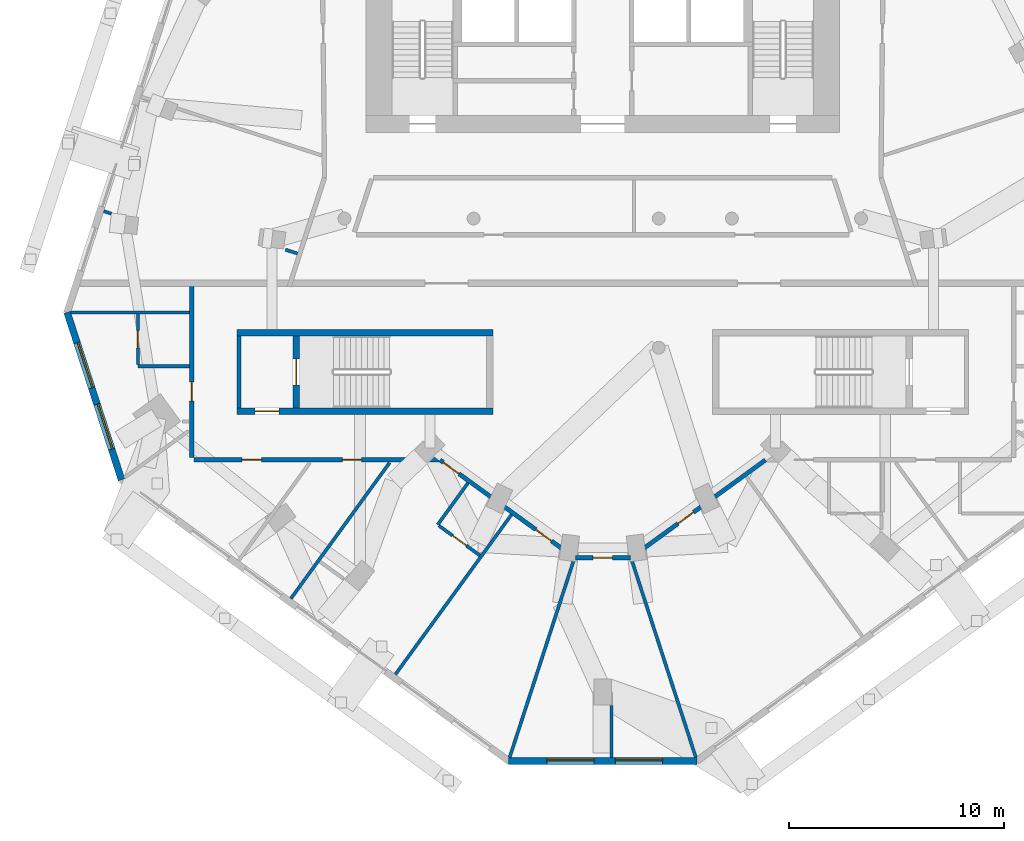
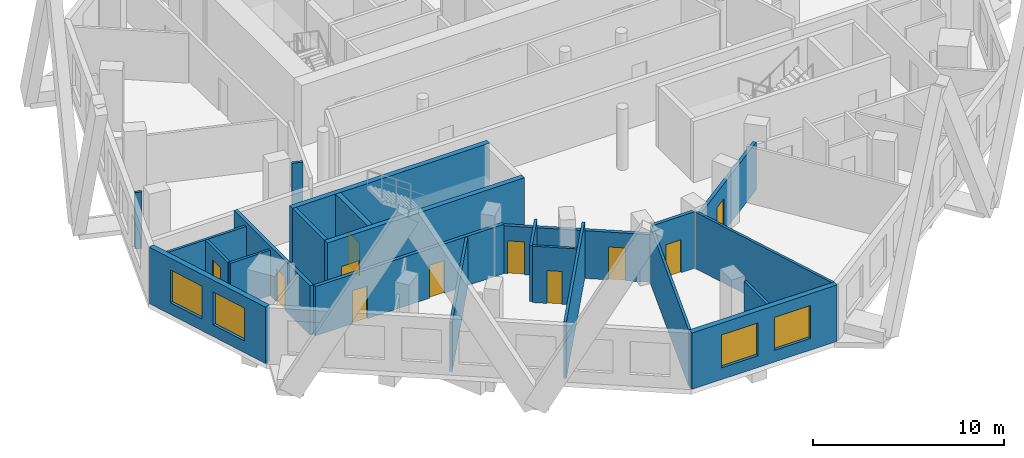
# One storey, part 4 of 10: 23 walls, 11 doors, 4 windows, 15 openings.
"""IFC4 building model written with IfcOpenShell, lengths in metres."""

from ifc_helpers import new_model, si_unit, direction, frame, frame_2d, origin, place, context, subcontext, project, spatial, rectangle, extrude, material, layer, layer_set, type_object, element, fill, save


model = new_model("IFC4")

# Units and contexts
model_context = context("Model", 3, precision=1e-05, world=origin(), true_north=direction((0.0, 1.0)))
body_context = subcontext(model_context, "Body", "Model", "MODEL_VIEW")
ifc_project = project(units=[si_unit("LENGTHUNIT", "METRE"), si_unit("AREAUNIT", "SQUARE_METRE"), si_unit("VOLUMEUNIT", "CUBIC_METRE"), si_unit("PLANEANGLEUNIT", "RADIAN"), si_unit("MASSUNIT", "GRAM", prefix="KILO")], contexts=[model_context])

# Site, building, storey
site_placement = place(None, origin())
site = spatial("IfcSite", under=ifc_project, at=site_placement, CompositionType="ELEMENT")
building_placement = place(site_placement, origin())
building = spatial("IfcBuilding", under=site, at=building_placement, Name="White Candle Pilgrim Tower", CompositionType="ELEMENT")
storey_placement = place(building_placement, frame((0.0, 0.0, 196.5)))
storey = spatial("IfcBuildingStorey", under=building, at=storey_placement, Name="L45", CompositionType="ELEMENT", Elevation=196.5)

# Wall
ifc_material_1 = material(Name="Concrete C50/60", Category="concrete")
ifc_layer_1 = layer(ifc_material_1, 0.199951171875)
ifc_layer_set_1 = layer_set([ifc_layer_1], Name="Core wall 200 mm Concrete C50/60")
wall_type_1 = type_object("IfcWallType", Name="Core wall 200 mm Concrete C50/60", PredefinedType="SHEAR", material=ifc_layer_set_1)
wall_1_placement = place(storey_placement, frame((53.10009765625, 58.199951171875, 0.0), z_axis=(0.0, 0.0, 1.0), x_axis=(0.0, 1.0, 0.0)))
element("IfcWall", 1, at=wall_1_placement, inside=storey, type_object=wall_type_1, Name="WL-L45-C03", PredefinedType="SHEAR", context=body_context, shape_type="SweptSolid", body=[
    extrude(rectangle(XDim=3.35009765625, YDim=0.199951171875, at=frame_2d((1.675048828125, 0.0))), origin(), (0.0, 0.0, 1.0), 3.89990234375),
])

# Wall, opening, door
ifc_material_2 = material(Name="Gypsum board on steel studs", Category="steel")
ifc_layer_2 = layer(ifc_material_2, 0.199951171875)
ifc_layer_set_2 = layer_set([ifc_layer_2], Name="Corridor wall 200 mm EI 45")
wall_type_2 = type_object("IfcWallType", Name="Corridor wall 200 mm EI 45", PredefinedType="PARTITIONING", material=ifc_layer_set_2)
wall_2_placement = place(storey_placement, frame((77.55908203125, 55.781005859375, 0.0), z_axis=(0.0, 0.0, 1.0), x_axis=(-0.80901190539, -0.587792256616, 0.0)))
wall_2 = element("IfcWall", 2, at=wall_2_placement, inside=storey, type_object=wall_type_2, Name="WL-L45-P008", PredefinedType="PARTITIONING", context=body_context, shape_type="SweptSolid", body=[
    extrude(rectangle(XDim=7.691162109375, YDim=0.199951171875, at=frame_2d((3.845703125, 0.0))), origin(), (0.0, 0.0, 1.0), 3.050048828125),
])
opening_1_placement = place(wall_2_placement, frame((4.125, 0.0, 0.0)))
opening_1 = element("IfcOpeningElement", 3, at=opening_1_placement, cuts=wall_2, Name="Opening T14-109", PredefinedType="OPENING", context=body_context, shape_type="SweptSolid", body=[
    extrude(rectangle(XDim=0.89990234375, YDim=2.10009765625, at=frame_2d((0.449951171875, 1.050048828125))), frame((0.0, 0.10986328125, 0.0), z_axis=(0.0, -1.0, 0.0), x_axis=(1.0, 0.0, 0.0)), (0.0, 0.0, 1.0), 0.219970703125),
])
ifc_material_3 = material(Name="Steel door leaf", Category="steel")
door_type_1 = type_object("IfcDoorType", Name="Fire door 900 x 2100 EI 30", OperationType="NOTDEFINED", PredefinedType="DOOR", material=ifc_material_3)
door_1_placement = place(opening_1_placement, origin())
door_1 = element("IfcDoor", 4, at=door_1_placement, inside=storey, type_object=door_type_1, Name="Door T14-109", OperationType="SINGLE_SWING_LEFT", OverallHeight=2.10009765625, OverallWidth=0.89990234375, PredefinedType="DOOR", context=body_context, shape_type="SweptSolid", body=[
    extrude(rectangle(XDim=0.89990234375, YDim=2.10009765625, at=frame_2d((0.449951171875, 1.050048828125))), frame((0.0, 0.02490234375, 0.0), z_axis=(0.0, -1.0, 0.0), x_axis=(1.0, 0.0, 0.0)), (0.0, 0.0, 1.0), 0.050048828125),
])
fill(opening_1, door_1)

wall_3_placement = place(storey_placement, frame((71.278076171875, 51.2412109375, 0.0), z_axis=(0.0, 0.0, 1.0), x_axis=(-1.0, 0.0, 0.0)))
wall_3 = element("IfcWall", 5, at=wall_3_placement, inside=storey, type_object=wall_type_2, Name="WL-L45-P009", PredefinedType="PARTITIONING", context=body_context, shape_type="SweptSolid", body=[
    extrude(rectangle(XDim=2.55615234375, YDim=0.199951171875, at=frame_2d((1.278076171875, 0.0))), origin(), (0.0, 0.0, 1.0), 3.60009765625),
])
opening_2_placement = place(wall_3_placement, frame((0.827880859375, 0.0, 0.0)))
opening_2 = element("IfcOpeningElement", 6, at=opening_2_placement, cuts=wall_3, Name="Opening T14-108", PredefinedType="OPENING", context=body_context, shape_type="SweptSolid", body=[
    extrude(rectangle(XDim=0.89990234375, YDim=2.10009765625, at=frame_2d((0.449951171875, 1.050048828125))), frame((0.0, 0.10986328125, 0.0), z_axis=(0.0, -1.0, 0.0), x_axis=(1.0, 0.0, 0.0)), (0.0, 0.0, 1.0), 0.219970703125),
])
door_2_placement = place(opening_2_placement, origin())
door_2 = element("IfcDoor", 7, at=door_2_placement, inside=storey, type_object=door_type_1, Name="Door T14-108", OperationType="SINGLE_SWING_RIGHT", OverallHeight=2.10009765625, OverallWidth=0.89990234375, PredefinedType="DOOR", context=body_context, shape_type="SweptSolid", body=[
    extrude(rectangle(XDim=0.89990234375, YDim=2.10009765625, at=frame_2d((0.449951171875, 1.050048828125))), frame((0.0, 0.02490234375, 0.0), z_axis=(0.0, -1.0, 0.0), x_axis=(1.0, 0.0, 0.0)), (0.0, 0.0, 1.0), 0.050048828125),
])
fill(opening_2, door_2)

# Wall, openings, doors
wall_4_placement = place(storey_placement, frame((68.6630859375, 51.26025390625, 0.0), z_axis=(0.0, 0.0, 1.0), x_axis=(-0.80901190539, 0.587792256616, 0.0)))
wall_4 = element("IfcWall", 8, at=wall_4_placement, inside=storey, type_object=wall_type_2, Name="WL-L45-P010", PredefinedType="PARTITIONING", context=body_context, shape_type="SweptSolid", body=[
    extrude(rectangle(XDim=7.691162109375, YDim=0.199951171875, at=frame_2d((3.845703125, 0.0))), origin(), (0.0, 0.0, 1.0), 3.050048828125),
])
opening_3_placement = place(wall_4_placement, frame((6.603759765625, 0.0, 0.0)))
opening_3 = element("IfcOpeningElement", 9, at=opening_3_placement, cuts=wall_4, Name="Opening T14-106", PredefinedType="OPENING", context=body_context, shape_type="SweptSolid", body=[
    extrude(rectangle(XDim=0.89990234375, YDim=2.10009765625, at=frame_2d((0.449951171875, 1.050048828125))), frame((0.0, 0.10986328125, 0.0), z_axis=(0.0, -1.0, 0.0), x_axis=(1.0, 0.0, 0.0)), (0.0, 0.0, 1.0), 0.219970703125),
])
opening_4_placement = place(wall_4_placement, frame((1.291015625, 0.0, 0.0)))
opening_4 = element("IfcOpeningElement", 10, at=opening_4_placement, cuts=wall_4, Name="Opening T14-107", PredefinedType="OPENING", context=body_context, shape_type="SweptSolid", body=[
    extrude(rectangle(XDim=0.89990234375, YDim=2.10009765625, at=frame_2d((0.449951171875, 1.050048828125))), frame((0.0, 0.10986328125, 0.0), z_axis=(0.0, -1.0, 0.0), x_axis=(1.0, 0.0, 0.0)), (0.0, 0.0, 1.0), 0.219970703125),
])
door_3_placement = place(opening_3_placement, origin())
door_3 = element("IfcDoor", 11, at=door_3_placement, inside=storey, type_object=door_type_1, Name="Door T14-106", OperationType="SINGLE_SWING_RIGHT", OverallHeight=2.10009765625, OverallWidth=0.89990234375, PredefinedType="DOOR", context=body_context, shape_type="SweptSolid", body=[
    extrude(rectangle(XDim=0.89990234375, YDim=2.10009765625, at=frame_2d((0.449951171875, 1.050048828125))), frame((0.0, 0.02490234375, 0.0), z_axis=(0.0, -1.0, 0.0), x_axis=(1.0, 0.0, 0.0)), (0.0, 0.0, 1.0), 0.050048828125),
])
fill(opening_3, door_3)
door_4_placement = place(opening_4_placement, origin())
door_4 = element("IfcDoor", 12, at=door_4_placement, inside=storey, type_object=door_type_1, Name="Door T14-107", OperationType="SINGLE_SWING_LEFT", OverallHeight=2.10009765625, OverallWidth=0.89990234375, PredefinedType="DOOR", context=body_context, shape_type="SweptSolid", body=[
    extrude(rectangle(XDim=0.89990234375, YDim=2.10009765625, at=frame_2d((0.449951171875, 1.050048828125))), frame((0.0, 0.02490234375, 0.0), z_axis=(0.0, -1.0, 0.0), x_axis=(1.0, 0.0, 0.0)), (0.0, 0.0, 1.0), 0.050048828125),
])
fill(opening_4, door_4)

wall_5_placement = place(storey_placement, frame((62.382080078125, 55.800048828125, 0.0), z_axis=(0.0, 0.0, 1.0), x_axis=(-1.0, 0.0, 0.0)))
wall_5 = element("IfcWall", 13, at=wall_5_placement, inside=storey, type_object=wall_type_2, Name="WL-L45-P011", PredefinedType="PARTITIONING", context=body_context, shape_type="SweptSolid", body=[
    extrude(rectangle(XDim=11.382080078125, YDim=0.199951171875, at=frame_2d((5.69091796875, 0.0))), origin(), (0.0, 0.0, 1.0), 3.14990234375),
])
opening_5_placement = place(wall_5_placement, frame((8.23583984375, 0.0, 0.0)))
opening_5 = element("IfcOpeningElement", 14, at=opening_5_placement, cuts=wall_5, Name="Opening T14-103", PredefinedType="OPENING", context=body_context, shape_type="SweptSolid", body=[
    extrude(rectangle(XDim=0.89990234375, YDim=2.10009765625, at=frame_2d((0.449951171875, 1.050048828125))), frame((0.0, 0.10986328125, 0.0), z_axis=(0.0, -1.0, 0.0), x_axis=(1.0, 0.0, 0.0)), (0.0, 0.0, 1.0), 0.219970703125),
])
opening_6_placement = place(wall_5_placement, frame((3.585205078125, 0.0, 0.0)))
opening_6 = element("IfcOpeningElement", 15, at=opening_6_placement, cuts=wall_5, Name="Opening T14-104", PredefinedType="OPENING", context=body_context, shape_type="SweptSolid", body=[
    extrude(rectangle(XDim=0.89990234375, YDim=2.10009765625, at=frame_2d((0.449951171875, 1.050048828125))), frame((0.0, 0.10986328125, 0.0), z_axis=(0.0, -1.0, 0.0), x_axis=(1.0, 0.0, 0.0)), (0.0, 0.0, 1.0), 0.219970703125),
])
door_5_placement = place(opening_5_placement, origin())
door_5 = element("IfcDoor", 16, at=door_5_placement, inside=storey, type_object=door_type_1, Name="Door T14-103", OperationType="SINGLE_SWING_LEFT", OverallHeight=2.10009765625, OverallWidth=0.89990234375, PredefinedType="DOOR", context=body_context, shape_type="SweptSolid", body=[
    extrude(rectangle(XDim=0.89990234375, YDim=2.10009765625, at=frame_2d((0.449951171875, 1.050048828125))), frame((0.0, 0.02490234375, 0.0), z_axis=(0.0, -1.0, 0.0), x_axis=(1.0, 0.0, 0.0)), (0.0, 0.0, 1.0), 0.050048828125),
])
fill(opening_5, door_5)
door_6_placement = place(opening_6_placement, origin())
door_6 = element("IfcDoor", 17, at=door_6_placement, inside=storey, type_object=door_type_1, Name="Door T14-104", OperationType="SINGLE_SWING_RIGHT", OverallHeight=2.10009765625, OverallWidth=0.89990234375, PredefinedType="DOOR", context=body_context, shape_type="SweptSolid", body=[
    extrude(rectangle(XDim=0.89990234375, YDim=2.10009765625, at=frame_2d((0.449951171875, 1.050048828125))), frame((0.0, 0.02490234375, 0.0), z_axis=(0.0, -1.0, 0.0), x_axis=(1.0, 0.0, 0.0)), (0.0, 0.0, 1.0), 0.050048828125),
])
fill(opening_6, door_6)

# Wall, opening, door
wall_6_placement = place(storey_placement, frame((50.89990234375, 55.89990234375, 0.0), z_axis=(0.0, 0.0, 1.0), x_axis=(0.0, 1.0, 0.0)))
wall_6 = element("IfcWall", 18, at=wall_6_placement, inside=storey, type_object=wall_type_2, Name="WL-L45-P012", PredefinedType="PARTITIONING", context=body_context, shape_type="SweptSolid", body=[
    extrude(rectangle(XDim=7.9501953125, YDim=0.199951171875, at=frame_2d((3.97509765625, 0.0))), origin(), (0.0, 0.0, 1.0), 3.14990234375),
])
opening_7_placement = place(wall_6_placement, frame((2.61376953125, 0.0, 0.0)))
opening_7 = element("IfcOpeningElement", 19, at=opening_7_placement, cuts=wall_6, Name="Opening T14-102", PredefinedType="OPENING", context=body_context, shape_type="SweptSolid", body=[
    extrude(rectangle(XDim=0.89990234375, YDim=2.10009765625, at=frame_2d((0.449951171875, 1.050048828125))), frame((0.0, 0.10986328125, 0.0), z_axis=(0.0, -1.0, 0.0), x_axis=(1.0, 0.0, 0.0)), (0.0, 0.0, 1.0), 0.219970703125),
])
door_7_placement = place(opening_7_placement, origin())
door_7 = element("IfcDoor", 20, at=door_7_placement, inside=storey, type_object=door_type_1, Name="Door T14-102", OperationType="SINGLE_SWING_RIGHT", OverallHeight=2.10009765625, OverallWidth=0.89990234375, PredefinedType="DOOR", context=body_context, shape_type="SweptSolid", body=[
    extrude(rectangle(XDim=0.89990234375, YDim=2.10009765625, at=frame_2d((0.449951171875, 1.050048828125))), frame((0.0, 0.02490234375, 0.0), z_axis=(0.0, -1.0, 0.0), x_axis=(1.0, 0.0, 0.0)), (0.0, 0.0, 1.0), 0.050048828125),
])
fill(opening_7, door_7)

# Wall, openings, windows
ifc_material_4 = material(Name="Precast concrete C40/50", Category="concrete")
ifc_layer_3 = layer(ifc_material_4, 0.320068359375)
ifc_layer_set_3 = layer_set([ifc_layer_3], Name="Facade wall EW1 precast concrete C40/50 pier wall with timber-lined reveals")
wall_type_3 = type_object("IfcWallType", Name="Facade wall EW1 precast concrete C40/50 pier wall with timber-lined reveals", PredefinedType="SOLIDWALL", material=ifc_layer_set_3)
wall_7_placement = place(storey_placement, frame((45.11279296875, 62.6416015625, 0.0), z_axis=(0.0, 0.0, 1.0), x_axis=(0.309006387978, -0.951059962457, 0.0)))
wall_7 = element("IfcWall", 21, at=wall_7_placement, inside=storey, type_object=wall_type_3, Name="Facade wall L45 W chamfer", PredefinedType="SOLIDWALL", context=body_context, shape_type="SweptSolid", body=[
    extrude(rectangle(XDim=8.175048828125, YDim=0.320068359375, at=frame_2d((4.08740234375, 0.0))), origin(), (0.0, 0.0, 1.0), 3.60009765625),
])
opening_8_placement = place(wall_7_placement, frame((1.487548828125, 0.0, 0.75)))
opening_8 = element("IfcOpeningElement", 22, at=opening_8_placement, cuts=wall_7, Name="Opening W4", PredefinedType="OPENING", context=body_context, shape_type="SweptSolid", body=[
    extrude(rectangle(XDim=2.199951171875, YDim=2.10009765625, at=frame_2d((1.10009765625, 1.050048828125))), frame((0.0, 0.169921875, 0.0), z_axis=(0.0, -1.0, 0.0), x_axis=(1.0, 0.0, 0.0)), (0.0, 0.0, 1.0), 0.340087890625),
])
opening_9_placement = place(wall_7_placement, frame((4.487548828125, 0.0, 0.75)))
opening_9 = element("IfcOpeningElement", 23, at=opening_9_placement, cuts=wall_7, Name="Opening W4", PredefinedType="OPENING", context=body_context, shape_type="SweptSolid", body=[
    extrude(rectangle(XDim=2.199951171875, YDim=2.10009765625, at=frame_2d((1.10009765625, 1.050048828125))), frame((0.0, 0.169921875, 0.0), z_axis=(0.0, -1.0, 0.0), x_axis=(1.0, 0.0, 0.0)), (0.0, 0.0, 1.0), 0.340087890625),
])
ifc_material_5 = material(Name="Timber frame with triple glazing", Category="wood")
window_type = type_object("IfcWindowType", Name="Window W4 2200x2100 timber frame triple glazing", PartitioningType="SINGLE_PANEL", PredefinedType="WINDOW", material=ifc_material_5)
window_1_placement = place(opening_8_placement, origin())
window_1 = element("IfcWindow", 24, at=window_1_placement, inside=storey, type_object=window_type, Name="Window W4 L45 W chamfer 1", OverallHeight=2.10009765625, OverallWidth=2.199951171875, PartitioningType="SINGLE_PANEL", PredefinedType="WINDOW", context=body_context, shape_type="SweptSolid", body=[
    extrude(rectangle(XDim=2.199951171875, YDim=2.10009765625, at=frame_2d((1.10009765625, 1.050048828125))), frame((0.0, 0.070068359375, 0.0), z_axis=(0.0, -1.0, 0.0), x_axis=(1.0, 0.0, 0.0)), (0.0, 0.0, 1.0), 0.06005859375),
])
fill(opening_8, window_1)
window_2_placement = place(opening_9_placement, origin())
window_2 = element("IfcWindow", 25, at=window_2_placement, inside=storey, type_object=window_type, Name="Window W4 L45 W chamfer 2", OverallHeight=2.10009765625, OverallWidth=2.199951171875, PartitioningType="SINGLE_PANEL", PredefinedType="WINDOW", context=body_context, shape_type="SweptSolid", body=[
    extrude(rectangle(XDim=2.199951171875, YDim=2.10009765625, at=frame_2d((1.10009765625, 1.050048828125))), frame((0.0, 0.070068359375, 0.0), z_axis=(0.0, -1.0, 0.0), x_axis=(1.0, 0.0, 0.0)), (0.0, 0.0, 1.0), 0.06005859375),
])
fill(opening_9, window_2)

wall_8_placement = place(storey_placement, frame((65.622314453125, 41.801025390625, 0.0), z_axis=(0.0, 0.0, 1.0), x_axis=(1.0, 0.0, 0.0)))
wall_8 = element("IfcWall", 26, at=wall_8_placement, inside=storey, type_object=wall_type_3, Name="Facade wall L45 S chamfer", PredefinedType="SOLIDWALL", context=body_context, shape_type="SweptSolid", body=[
    extrude(rectangle(XDim=8.75537109375, YDim=0.320068359375, at=frame_2d((4.377685546875, 0.0))), origin(), (0.0, 0.0, 1.0), 3.60009765625),
])
opening_10_placement = place(wall_8_placement, frame((1.77783203125, 0.0, 0.75)))
opening_10 = element("IfcOpeningElement", 27, at=opening_10_placement, cuts=wall_8, Name="Opening W4", PredefinedType="OPENING", context=body_context, shape_type="SweptSolid", body=[
    extrude(rectangle(XDim=2.199951171875, YDim=2.10009765625, at=frame_2d((1.10009765625, 1.050048828125))), frame((0.0, 0.169921875, 0.0), z_axis=(0.0, -1.0, 0.0), x_axis=(1.0, 0.0, 0.0)), (0.0, 0.0, 1.0), 0.340087890625),
])
opening_11_placement = place(wall_8_placement, frame((4.962890625, 0.0, 0.75)))
opening_11 = element("IfcOpeningElement", 28, at=opening_11_placement, cuts=wall_8, Name="Opening W4", PredefinedType="OPENING", context=body_context, shape_type="SweptSolid", body=[
    extrude(rectangle(XDim=2.199951171875, YDim=2.10009765625, at=frame_2d((1.10009765625, 1.050048828125))), frame((0.0, 0.169921875, 0.0), z_axis=(0.0, -1.0, 0.0), x_axis=(1.0, 0.0, 0.0)), (0.0, 0.0, 1.0), 0.340087890625),
])
window_3_placement = place(opening_10_placement, origin())
window_3 = element("IfcWindow", 29, at=window_3_placement, inside=storey, type_object=window_type, Name="Window W4 L45 S chamfer 1", OverallHeight=2.10009765625, OverallWidth=2.199951171875, PartitioningType="SINGLE_PANEL", PredefinedType="WINDOW", context=body_context, shape_type="SweptSolid", body=[
    extrude(rectangle(XDim=2.199951171875, YDim=2.10009765625, at=frame_2d((1.10009765625, 1.050048828125))), frame((0.0, 0.070068359375, 0.0), z_axis=(0.0, -1.0, 0.0), x_axis=(1.0, 0.0, 0.0)), (0.0, 0.0, 1.0), 0.06005859375),
])
fill(opening_10, window_3)
window_4_placement = place(opening_11_placement, origin())
window_4 = element("IfcWindow", 30, at=window_4_placement, inside=storey, type_object=window_type, Name="Window W4 L45 S chamfer 2", OverallHeight=2.10009765625, OverallWidth=2.199951171875, PartitioningType="SINGLE_PANEL", PredefinedType="WINDOW", context=body_context, shape_type="SweptSolid", body=[
    extrude(rectangle(XDim=2.199951171875, YDim=2.10009765625, at=frame_2d((1.10009765625, 1.050048828125))), frame((0.0, 0.070068359375, 0.0), z_axis=(0.0, -1.0, 0.0), x_axis=(1.0, 0.0, 0.0)), (0.0, 0.0, 1.0), 0.06005859375),
])
fill(opening_11, window_4)

# Walls
ifc_layer_4 = layer(ifc_material_2, 0.14990234375)
ifc_layer_set_4 = layer_set([ifc_layer_4], Name="Partition 150 mm EI 60")
wall_type_4 = type_object("IfcWallType", Name="Partition 150 mm EI 60", PredefinedType="PARTITIONING", material=ifc_layer_set_4)
wall_9_placement = place(storey_placement, frame((45.281005859375, 62.6416015625, 0.0), z_axis=(0.0, 0.0, 1.0), x_axis=(1.0, 0.0, 0.0)))
element("IfcWall", 31, at=wall_9_placement, inside=storey, type_object=wall_type_4, Name="WL-L45-P018", PredefinedType="PARTITIONING", context=body_context, shape_type="SweptSolid", body=[
    extrude(rectangle(XDim=5.51904296875, YDim=0.14990234375, at=frame_2d((2.759521484375, 0.0))), origin(), (0.0, 0.0, 1.0), 2.89990234375),
])
for number, where, z_axis, x_axis, name in (
    (32, (65.67431640625, 41.961181640625, 0.0), (0.0, 0.0, 1.0), (0.309002171774, 0.951061332322, 0.0), "WL-L45-P020"),
    (33, (74.32568359375, 41.961181640625, 0.0), (0.0, 0.0, 1.0), (-0.309002171774, 0.951061332322, 0.0), "WL-L45-P021"),
):
    element("IfcWall", number, at=place(storey_placement, frame(where, z_axis=z_axis, x_axis=x_axis)), inside=storey, type_object=wall_type_4, Name=name, PredefinedType="PARTITIONING", context=body_context, shape_type="SweptSolid", body=[
        extrude(rectangle(XDim=9.67236328125, YDim=0.14990234375, at=frame_2d((4.836181640625, 0.0))), origin(), (0.0, 0.0, 1.0), 3.60009765625),
    ])
wall_10_placement = place(storey_placement, frame((50.800048828125, 60.1416015625, 0.0), z_axis=(0.0, 0.0, 1.0), x_axis=(-1.0, 0.0, 0.0)))
element("IfcWall", 34, at=wall_10_placement, inside=storey, type_object=wall_type_4, Name="WL-L45-P026", PredefinedType="PARTITIONING", context=body_context, shape_type="SweptSolid", body=[
    extrude(rectangle(XDim=2.400146484375, YDim=0.14990234375, at=frame_2d((1.2001953125, 0.0))), origin(), (0.0, 0.0, 1.0), 2.89990234375),
])

# Wall, opening, door
wall_11_placement = place(storey_placement, frame((48.39990234375, 62.566650390625, 0.0), z_axis=(0.0, 0.0, 1.0), x_axis=(0.0, -1.0, 0.0)))
wall_11 = element("IfcWall", 35, at=wall_11_placement, inside=storey, type_object=wall_type_4, Name="WL-L45-P027", PredefinedType="PARTITIONING", context=body_context, shape_type="SweptSolid", body=[
    extrude(rectangle(XDim=2.35009765625, YDim=0.14990234375, at=frame_2d((1.175048828125, 0.0))), origin(), (0.0, 0.0, 1.0), 2.89990234375),
])
opening_12_placement = place(wall_11_placement, frame((0.77490234375, 0.0, 0.0)))
opening_12 = element("IfcOpeningElement", 36, at=opening_12_placement, cuts=wall_11, Name="Opening T14-101", PredefinedType="OPENING", context=body_context, shape_type="SweptSolid", body=[
    extrude(rectangle(XDim=0.800048828125, YDim=2.10009765625, at=frame_2d((0.39990234375, 1.050048828125))), frame((0.0, 0.0849609375, 0.0), z_axis=(0.0, -1.0, 0.0), x_axis=(1.0, 0.0, 0.0)), (0.0, 0.0, 1.0), 0.169921875),
])
door_type_2 = type_object("IfcDoorType", Name="Fire door 800 x 2100 EI 30", OperationType="NOTDEFINED", PredefinedType="DOOR", material=ifc_material_3)
door_8_placement = place(opening_12_placement, frame((0.800048828125, 0.0, 0.0), z_axis=(0.0, 0.0, 1.0), x_axis=(-1.0, 0.0, 0.0)))
door_8 = element("IfcDoor", 37, at=door_8_placement, inside=storey, type_object=door_type_2, Name="Door T14-101", OperationType="SINGLE_SWING_RIGHT", OverallHeight=2.10009765625, OverallWidth=0.800048828125, PredefinedType="DOOR", context=body_context, shape_type="SweptSolid", body=[
    extrude(rectangle(XDim=0.800048828125, YDim=2.10009765625, at=frame_2d((0.39990234375, 1.050048828125))), frame((0.0, 0.02490234375, 0.0), z_axis=(0.0, -1.0, 0.0), x_axis=(1.0, 0.0, 0.0)), (0.0, 0.0, 1.0), 0.050048828125),
])
fill(opening_12, door_8)

# Walls
wall_12_placement = place(storey_placement, frame((55.510986328125, 49.344970703125, 0.0), z_axis=(0.0, 0.0, 1.0), x_axis=(0.587782705134, 0.809018844988, 0.0)))
element("IfcWall", 38, at=wall_12_placement, inside=storey, type_object=wall_type_4, Name="WL-L45-P029", PredefinedType="PARTITIONING", context=body_context, shape_type="SweptSolid", body=[
    extrude(rectangle(XDim=7.80078125, YDim=0.14990234375, at=frame_2d((3.900390625, 0.0))), origin(), (0.0, 0.0, 1.0), 3.14990234375),
])
wall_13_placement = place(storey_placement, frame((60.365234375, 45.818359375, 0.0), z_axis=(0.0, 0.0, 1.0), x_axis=(0.587777877013, 0.809022352778, 0.0)))
element("IfcWall", 39, at=wall_13_placement, inside=storey, type_object=wall_type_4, Name="WL-L45-P030", PredefinedType="PARTITIONING", context=body_context, shape_type="SweptSolid", body=[
    extrude(rectangle(XDim=9.179931640625, YDim=0.14990234375, at=frame_2d((4.58984375, 0.0))), origin(), (0.0, 0.0, 1.0), 3.60009765625),
])
wall_14_placement = place(storey_placement, frame((63.738525390625, 54.714599609375, 0.0), z_axis=(0.0, 0.0, 1.0), x_axis=(-0.587772420479, -0.809026317077, 0.0)))
element("IfcWall", 40, at=wall_14_placement, inside=storey, type_object=wall_type_4, Name="WL-L45-P031", PredefinedType="PARTITIONING", context=body_context, shape_type="SweptSolid", body=[
    extrude(rectangle(XDim=2.39990234375, YDim=0.14990234375, at=frame_2d((1.199951171875, 0.0))), origin(), (0.0, 0.0, 1.0), 3.60009765625),
])

# Wall, opening, door
wall_15_placement = place(storey_placement, frame((64.289794921875, 51.347412109375, 0.0), z_axis=(0.0, 0.0, 1.0), x_axis=(-0.808996573949, 0.587813357571, 0.0)))
wall_15 = element("IfcWall", 41, at=wall_15_placement, inside=storey, type_object=wall_type_4, Name="WL-L45-P032", PredefinedType="PARTITIONING", context=body_context, shape_type="SweptSolid", body=[
    extrude(rectangle(XDim=2.35009765625, YDim=0.14990234375, at=frame_2d((1.175048828125, 0.0))), origin(), (0.0, 0.0, 1.0), 3.60009765625),
])
opening_13_placement = place(wall_15_placement, frame((0.77490234375, 0.0, 0.0)))
opening_13 = element("IfcOpeningElement", 42, at=opening_13_placement, cuts=wall_15, Name="Opening T14-105", PredefinedType="OPENING", context=body_context, shape_type="SweptSolid", body=[
    extrude(rectangle(XDim=0.800048828125, YDim=2.10009765625, at=frame_2d((0.39990234375, 1.050048828125))), frame((0.0, 0.0849609375, 0.0), z_axis=(0.0, -1.0, 0.0), x_axis=(1.0, 0.0, 0.0)), (0.0, 0.0, 1.0), 0.169921875),
])
door_9_placement = place(opening_13_placement, origin())
door_9 = element("IfcDoor", 43, at=door_9_placement, inside=storey, type_object=door_type_2, Name="Door T14-105", OperationType="SINGLE_SWING_LEFT", OverallHeight=2.10009765625, OverallWidth=0.800048828125, PredefinedType="DOOR", context=body_context, shape_type="SweptSolid", body=[
    extrude(rectangle(XDim=0.800048828125, YDim=2.10009765625, at=frame_2d((0.39990234375, 1.050048828125))), frame((0.0, 0.02490234375, 0.0), z_axis=(0.0, -1.0, 0.0), x_axis=(1.0, 0.0, 0.0)), (0.0, 0.0, 1.0), 0.050048828125),
])
fill(opening_13, door_9)

# Walls
wall_16_placement = place(storey_placement, frame((70.409912109375, 44.3701171875, 0.0), z_axis=(0.0, 0.0, 1.0), x_axis=(0.0, -1.0, 0.0)))
element("IfcWall", 44, at=wall_16_placement, inside=storey, type_object=wall_type_4, Name="WL-L45-P046", PredefinedType="PARTITIONING", context=body_context, shape_type="SweptSolid", body=[
    extrude(rectangle(XDim=2.408935546875, YDim=0.14990234375, at=frame_2d((1.20458984375, 0.0))), origin(), (0.0, 0.0, 1.0), 3.60009765625),
])
wall_17_placement = place(storey_placement, frame((47.167724609375, 67.228271484375, 0.0), z_axis=(0.0, 0.0, 1.0), x_axis=(-0.95111492259, 0.308837180446, 0.0)))
element("IfcWall", 45, at=wall_17_placement, inside=storey, type_object=wall_type_4, Name="WL-L45-P052", PredefinedType="PARTITIONING", context=body_context, shape_type="SweptSolid", body=[
    extrude(rectangle(XDim=0.377197265625, YDim=0.14990234375, at=frame_2d((0.1884765625, 0.0))), origin(), (0.0, 0.0, 1.0), 3.60009765625),
])
wall_18_placement = place(storey_placement, frame((55.2568359375, 65.55517578125, 0.0), z_axis=(0.0, 0.0, 1.0), x_axis=(0.9510855144, -0.308927733131, 0.0)))
element("IfcWall", 46, at=wall_18_placement, inside=storey, type_object=wall_type_4, Name="WL-L45-P054", PredefinedType="PARTITIONING", context=body_context, shape_type="SweptSolid", body=[
    extrude(rectangle(XDim=0.5927734375, YDim=0.14990234375, at=frame_2d((0.29638671875, 0.0))), origin(), (0.0, 0.0, 1.0), 3.60009765625),
])

# Wall, opening, door
ifc_layer_5 = layer(ifc_material_1, 0.300048828125)
ifc_layer_set_5 = layer_set([ifc_layer_5], Name="Stair shaft wall 300 mm Concrete C50/60")
wall_type_5 = type_object("IfcWallType", Name="Stair shaft wall 300 mm Concrete C50/60", PredefinedType="SHEAR", material=ifc_layer_set_5)
wall_19_placement = place(storey_placement, frame((53.0, 58.050048828125, 0.0), z_axis=(0.0, 0.0, 1.0), x_axis=(1.0, 0.0, 0.0)))
wall_19 = element("IfcWall", 47, at=wall_19_placement, inside=storey, type_object=wall_type_5, Name="WL-L45-C01", PredefinedType="SHEAR", context=body_context, shape_type="SweptSolid", body=[
    extrude(rectangle(XDim=11.89990234375, YDim=0.300048828125, at=frame_2d((5.949951171875, 0.0))), origin(), (0.0, 0.0, 1.0), 3.89990234375),
])
opening_14_placement = place(wall_19_placement, frame((0.85009765625, 0.0, 0.0)))
opening_14 = element("IfcOpeningElement", 48, at=opening_14_placement, cuts=wall_19, Name="Opening T14-010", PredefinedType="OPENING", context=body_context, shape_type="SweptSolid", body=[
    extrude(rectangle(XDim=1.10009765625, YDim=2.10009765625, at=frame_2d((0.550048828125, 1.050048828125))), frame((0.0, 0.159912109375, 0.0), z_axis=(0.0, -1.0, 0.0), x_axis=(1.0, 0.0, 0.0)), (0.0, 0.0, 1.0), 0.320068359375),
])
door_type_3 = type_object("IfcDoorType", Name="Fire door 1100 x 2100 EI 60", OperationType="NOTDEFINED", PredefinedType="DOOR", material=ifc_material_3)
door_10_placement = place(opening_14_placement, origin())
door_10 = element("IfcDoor", 49, at=door_10_placement, inside=storey, type_object=door_type_3, Name="Door T14-010", OperationType="SINGLE_SWING_RIGHT", OverallHeight=2.10009765625, OverallWidth=1.10009765625, PredefinedType="DOOR", context=body_context, shape_type="SweptSolid", body=[
    extrude(rectangle(XDim=1.10009765625, YDim=2.10009765625, at=frame_2d((0.550048828125, 1.050048828125))), frame((0.0, 0.02490234375, 0.0), z_axis=(0.0, -1.0, 0.0), x_axis=(1.0, 0.0, 0.0)), (0.0, 0.0, 1.0), 0.050048828125),
])
fill(opening_14, door_10)

wall_20_placement = place(storey_placement, frame((55.75, 58.199951171875, 0.0), z_axis=(0.0, 0.0, 1.0), x_axis=(0.0, 1.0, 0.0)))
wall_20 = element("IfcWall", 50, at=wall_20_placement, inside=storey, type_object=wall_type_5, Name="WL-L45-C04", PredefinedType="SHEAR", context=body_context, shape_type="SweptSolid", body=[
    extrude(rectangle(XDim=3.35009765625, YDim=0.300048828125, at=frame_2d((1.675048828125, 0.0))), origin(), (0.0, 0.0, 1.0), 3.89990234375),
])
opening_15_placement = place(wall_20_placement, frame((1.074951171875, 0.0, 0.0)))
opening_15 = element("IfcOpeningElement", 51, at=opening_15_placement, cuts=wall_20, Name="Opening T14-011", PredefinedType="OPENING", context=body_context, shape_type="SweptSolid", body=[
    extrude(rectangle(XDim=1.199951171875, YDim=2.10009765625, at=frame_2d((0.60009765625, 1.050048828125))), frame((0.0, 0.159912109375, 0.0), z_axis=(0.0, -1.0, 0.0), x_axis=(1.0, 0.0, 0.0)), (0.0, 0.0, 1.0), 0.320068359375),
])
door_type_4 = type_object("IfcDoorType", Name="Fire door 1200 x 2100 EI 60", OperationType="NOTDEFINED", PredefinedType="DOOR", material=ifc_material_3)
door_11_placement = place(opening_15_placement, frame((1.199951171875, 0.0, 0.0), z_axis=(0.0, 0.0, 1.0), x_axis=(-1.0, 0.0, 0.0)))
door_11 = element("IfcDoor", 52, at=door_11_placement, inside=storey, type_object=door_type_4, Name="Door T14-011", OperationType="SINGLE_SWING_RIGHT", OverallHeight=2.10009765625, OverallWidth=1.199951171875, PredefinedType="DOOR", context=body_context, shape_type="SweptSolid", body=[
    extrude(rectangle(XDim=1.199951171875, YDim=2.10009765625, at=frame_2d((0.60009765625, 1.050048828125))), frame((0.0, 0.02490234375, 0.0), z_axis=(0.0, -1.0, 0.0), x_axis=(1.0, 0.0, 0.0)), (0.0, 0.0, 1.0), 0.050048828125),
])
fill(opening_15, door_11)

# Wall
wall_21_placement = place(storey_placement, frame((53.0, 61.699951171875, 0.0), z_axis=(0.0, 0.0, 1.0), x_axis=(1.0, 0.0, 0.0)))
element("IfcWall", 53, at=wall_21_placement, inside=storey, type_object=wall_type_5, Name="WL-L45-C09", PredefinedType="SHEAR", context=body_context, shape_type="SweptSolid", body=[
    extrude(rectangle(XDim=11.89990234375, YDim=0.300048828125, at=frame_2d((5.949951171875, 0.0))), origin(), (0.0, 0.0, 1.0), 3.89990234375),
])

save(model, "model.ifc")
